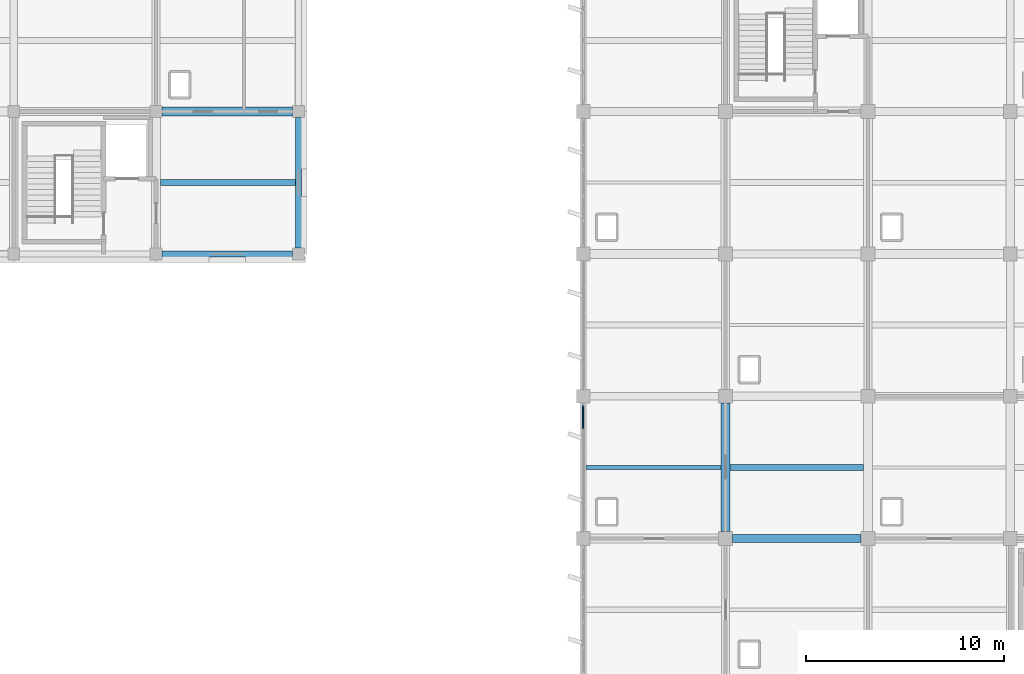
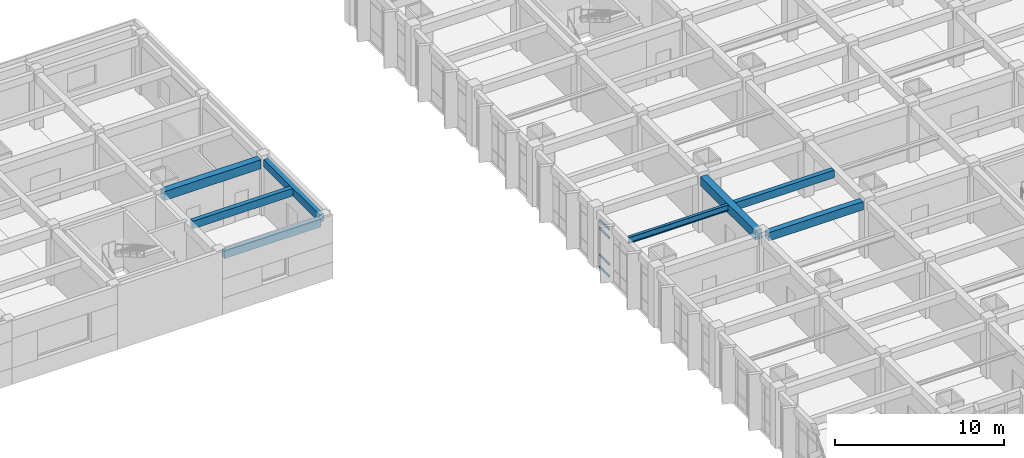
# One storey, part 16 of 70: 7 beams, 5 members, 1 element without a shape of its own.
"""IFC4 building model written with IfcOpenShell, lengths in metres."""

from ifc_helpers import new_model, si_unit, direction, frame, origin, origin_2d, place, context, subcontext, project, spatial, rectangle, i_section, extrude, material, layer, layer_set, material_profile, profile_set, type_object, element, aggregate, save


model = new_model("IFC4")

# Units and contexts
model_context = context("Model", 3, precision=1e-05, world=origin(), true_north=direction((0.0, 1.0)))
body_context = subcontext(model_context, "Body", "Model", "MODEL_VIEW")
ifc_project = project(units=[si_unit("LENGTHUNIT", "METRE"), si_unit("AREAUNIT", "SQUARE_METRE"), si_unit("VOLUMEUNIT", "CUBIC_METRE"), si_unit("PLANEANGLEUNIT", "RADIAN"), si_unit("MASSUNIT", "GRAM", prefix="KILO")], contexts=[model_context])

# Site, building, storey
site_placement = place(None, origin())
site = spatial("IfcSite", under=ifc_project, at=site_placement, CompositionType="ELEMENT")
building_placement = place(site_placement, origin())
building = spatial("IfcBuilding", under=site, at=building_placement, Name="Kavelor Marine Aquarium", CompositionType="ELEMENT")
storey_placement = place(building_placement, frame((0.0, 0.0, 9.179931640625)))
storey = spatial("IfcBuildingStorey", under=building, at=storey_placement, Name="L02", CompositionType="ELEMENT", Elevation=9.179931640625)

# Beams
ifc_material_1 = material(Name="Concrete C40/50", Category="concrete")
ifc_material_profile_1 = material_profile(ifc_material_1, rectangle(XDim=0.449951171875, YDim=0.64990234375, at=origin_2d()), Name="RC-BM 450x650")
ifc_profile_set_1 = profile_set([ifc_material_profile_1], Name="Concrete C40/50")
beam_type_1 = type_object("IfcBeamType", Name="BM-B3", PredefinedType="BEAM", material=ifc_profile_set_1)
beam_1_placement = place(storey_placement, frame((97.10009765625, 96.39990234375, 3.695068359375), z_axis=(1.0, 0.0, 0.0), x_axis=(0.0, 1.0, 0.0)))
element("IfcBeam", 1, at=beam_1_placement, inside=storey, type_object=beam_type_1, Name="bm:x:L02:L03:13_13", PredefinedType="BEAM", context=body_context, shape_type="SweptSolid", body=[
    extrude(rectangle(XDim=0.449951171875, YDim=0.64990234375, at=origin_2d()), origin(), (0.0, 0.0, 1.0), 6.599853515625),
])
beam_2_placement = place(storey_placement, frame((125.60009765625, 75.14990234375, 3.695068359375), z_axis=(0.0, 1.0, 0.0), x_axis=(-1.0, 0.0, 0.0)))
element("IfcBeam", 2, at=beam_2_placement, inside=storey, type_object=beam_type_1, Name="bm:y:L02:L03:17_10", PredefinedType="BEAM", context=body_context, shape_type="SweptSolid", body=[
    extrude(rectangle(XDim=0.449951171875, YDim=0.64990234375, at=origin_2d()), origin(), (0.0, 0.0, 1.0), 6.5),
])
ifc_material_2 = material(Name="Concrete C40/50", Category="concrete")
ifc_material_profile_2 = material_profile(ifc_material_2, rectangle(XDim=0.39990234375, YDim=0.60009765625, at=origin_2d()), Name="RC-BM 400x600")
ifc_profile_set_2 = profile_set([ifc_material_profile_2], Name="Concrete C40/50")
beam_type_2 = type_object("IfcBeamType", Name="BM-B4", PredefinedType="BEAM", material=ifc_profile_set_2)
beam_3_placement = place(storey_placement, frame((125.949951171875, 74.800048828125, 3.719970703125), z_axis=(1.0, 0.0, 0.0), x_axis=(0.0, 1.0, 0.0)))
element("IfcBeam", 3, at=beam_3_placement, inside=storey, type_object=beam_type_2, Name="bm:x:L02:L03:17_10", PredefinedType="BEAM", context=body_context, shape_type="SweptSolid", body=[
    extrude(rectangle(XDim=0.39990234375, YDim=0.60009765625, at=origin_2d()), origin(), (0.0, 0.0, 1.0), 6.5),
])
ifc_material_3 = material(Name="Concrete C40/50", Category="concrete")
ifc_material_profile_3 = material_profile(ifc_material_3, rectangle(XDim=0.300048828125, YDim=0.550048828125, at=origin_2d()), Name="RC-JS 300x550")
ifc_profile_set_3 = profile_set([ifc_material_profile_3], Name="Concrete C40/50")
beam_type_3 = type_object("IfcBeamType", Name="BM-JS2", PredefinedType="JOIST", material=ifc_profile_set_3)
beam_4_placement = place(storey_placement, frame((97.02490234375, 92.800048828125, 3.76513671875), z_axis=(1.0, 0.0, 0.0), x_axis=(0.0, 1.0, 0.0)))
element("IfcBeam", 4, at=beam_4_placement, inside=storey, type_object=beam_type_3, Name="js:L02:L03:13_12", PredefinedType="JOIST", context=body_context, shape_type="SweptSolid", body=[
    extrude(rectangle(XDim=0.300048828125, YDim=0.550048828125, at=origin_2d()), origin(), (0.0, 0.0, 1.0), 6.8251953125),
])
beam_5_placement = place(storey_placement, frame((125.824951171875, 78.39990234375, 3.76513671875), z_axis=(1.0, 0.0, 0.0), x_axis=(0.0, 1.0, 0.0)))
element("IfcBeam", 5, at=beam_5_placement, inside=storey, type_object=beam_type_3, Name="js:L02:L03:17_10", PredefinedType="JOIST", context=body_context, shape_type="SweptSolid", body=[
    extrude(rectangle(XDim=0.300048828125, YDim=0.550048828125, at=origin_2d()), origin(), (0.0, 0.0, 1.0), 6.75),
])
ifc_material_4 = material(Name="Concrete C40/50", Category="concrete")
ifc_material_profile_4 = material_profile(ifc_material_4, rectangle(XDim=0.300048828125, YDim=0.550048828125, at=origin_2d()), Name="RC-SP 300x550")
ifc_profile_set_4 = profile_set([ifc_material_profile_4], Name="Concrete C40/50")
beam_type_4 = type_object("IfcBeamType", Name="BM-SP2", PredefinedType="SPANDREL", material=ifc_profile_set_4)
beam_6_placement = place(storey_placement, frame((97.10009765625, 89.199951171875, 3.76513671875), z_axis=(1.0, 0.0, 0.0), x_axis=(0.0, 1.0, 0.0)))
element("IfcBeam", 6, at=beam_6_placement, inside=storey, type_object=beam_type_4, Name="bm:x:L02:L03:13_12", PredefinedType="SPANDREL", context=body_context, shape_type="SweptSolid", body=[
    extrude(rectangle(XDim=0.300048828125, YDim=0.550048828125, at=origin_2d()), origin(), (0.0, 0.0, 1.0), 6.599853515625),
])
beam_7_placement = place(storey_placement, frame((104.0, 89.5, 3.76513671875), z_axis=(0.0, 1.0, 0.0), x_axis=(-1.0, 0.0, 0.0)))
element("IfcBeam", 7, at=beam_7_placement, inside=storey, type_object=beam_type_4, Name="bm:y:L02:L03:14_12", PredefinedType="SPANDREL", context=body_context, shape_type="SweptSolid", body=[
    extrude(rectangle(XDim=0.300048828125, YDim=0.550048828125, at=origin_2d()), origin(), (0.0, 0.0, 1.0), 6.60009765625),
])

# Curtain wall, members
ifc_material_5 = material(Name="Thermally Broken Aluminium and Low-E Glass", Category="aluminium")
ifc_layer = layer(ifc_material_5, 0.196044921875)
ifc_layer_set = layer_set([ifc_layer], Name="CW-SYS7")
curtain_wall_type = type_object("IfcCurtainWallType", Name="CW-SYS7", PredefinedType="USERDEFINED", material=ifc_layer_set)
curtain_wall_placement = place(storey_placement, origin())
curtain_wall = element("IfcCurtainWall", 8, at=curtain_wall_placement, inside=storey, type_object=curtain_wall_type, Name="cw:y:L02:16_10", ObjectType="Curtain Wall", PredefinedType="USERDEFINED")
ifc_material_6 = material(Name="Anodised Aluminium Alloy 6063-T6", Category="aluminium")
ifc_material_profile_5 = material_profile(ifc_material_6, rectangle(XDim=0.074951171875, YDim=0.14990234375, at=origin_2d()), Name="CW-TRN 75x150")
ifc_profile_set_5 = profile_set([ifc_material_profile_5], Name="Anodised Aluminium Alloy 6063-T6")
member_type_1 = type_object("IfcMemberType", Name="CWT-1", PredefinedType="USERDEFINED", material=ifc_profile_set_5)
member_1_placement = place(storey_placement, frame((118.39990234375, 81.530029296875, 0.03759765625), z_axis=(0.0, -1.0, 0.0), x_axis=(1.0, 0.0, 0.0)))
member_1 = element("IfcMember", 9, at=member_1_placement, type_object=member_type_1, Name="CW07 transom 1.1", ObjectType="TRANSOM", PredefinedType="USERDEFINED", context=body_context, shape_type="SweptSolid", body=[
    extrude(rectangle(XDim=0.074951171875, YDim=0.14990234375, at=origin_2d()), origin(), (0.0, 0.0, 1.0), 1.16943359375),
])
member_2_placement = place(storey_placement, frame((118.39990234375, 81.530029296875, 0.900146484375), z_axis=(0.0, -1.0, 0.0), x_axis=(1.0, 0.0, 0.0)))
member_2 = element("IfcMember", 10, at=member_2_placement, type_object=member_type_1, Name="CW07 transom 1.2", ObjectType="TRANSOM", PredefinedType="USERDEFINED", context=body_context, shape_type="SweptSolid", body=[
    extrude(rectangle(XDim=0.074951171875, YDim=0.14990234375, at=origin_2d()), origin(), (0.0, 0.0, 1.0), 1.16943359375),
])
member_3_placement = place(storey_placement, frame((118.39990234375, 81.530029296875, 2.81005859375), z_axis=(0.0, -1.0, 0.0), x_axis=(1.0, 0.0, 0.0)))
member_3 = element("IfcMember", 11, at=member_3_placement, type_object=member_type_1, Name="CW07 transom 1.3", ObjectType="TRANSOM", PredefinedType="USERDEFINED", context=body_context, shape_type="SweptSolid", body=[
    extrude(rectangle(XDim=0.074951171875, YDim=0.14990234375, at=origin_2d()), origin(), (0.0, 0.0, 1.0), 1.16943359375),
])
member_4_placement = place(storey_placement, frame((118.39990234375, 81.530029296875, 3.422607421875), z_axis=(0.0, -1.0, 0.0), x_axis=(1.0, 0.0, 0.0)))
member_4 = element("IfcMember", 12, at=member_4_placement, type_object=member_type_1, Name="CW07 transom 1.4", ObjectType="TRANSOM", PredefinedType="USERDEFINED", context=body_context, shape_type="SweptSolid", body=[
    extrude(rectangle(XDim=0.074951171875, YDim=0.14990234375, at=origin_2d()), origin(), (0.0, 0.0, 1.0), 1.16943359375),
])
aggregate(curtain_wall, [member_1, member_2, member_3, member_4])

# Member
ifc_material_7 = material(Name="Steel S355", Category="steel")
ifc_material_profile_6 = material_profile(ifc_material_7, i_section(OverallWidth=0.18994140625, OverallDepth=0.449951171875, WebThickness=0.009521484375, FlangeThickness=0.0146484375, FilletRadius=0.02099609375, at=origin_2d()), Name="IPE 450")
ifc_profile_set_6 = profile_set([ifc_material_profile_6], Name="Steel S355")
member_type_2 = type_object("IfcMemberType", Name="PR-SJ2", PredefinedType="PURLIN", material=ifc_profile_set_6)
member_5_placement = place(storey_placement, frame((118.550048828125, 78.39990234375, 3.795166015625), z_axis=(1.0, 0.0, 0.0), x_axis=(0.0, 1.0, 0.0)))
element("IfcMember", 13, at=member_5_placement, inside=storey, type_object=member_type_2, Name="js:L02:L03:16_10", PredefinedType="PURLIN", context=body_context, shape_type="SweptSolid", body=[
    extrude(i_section(OverallWidth=0.18994140625, OverallDepth=0.449951171875, WebThickness=0.009521484375, FlangeThickness=0.0146484375, FilletRadius=0.02099609375, at=origin_2d()), origin(), (0.0, 0.0, 1.0), 6.824951171875),
])

save(model, "model.ifc")
